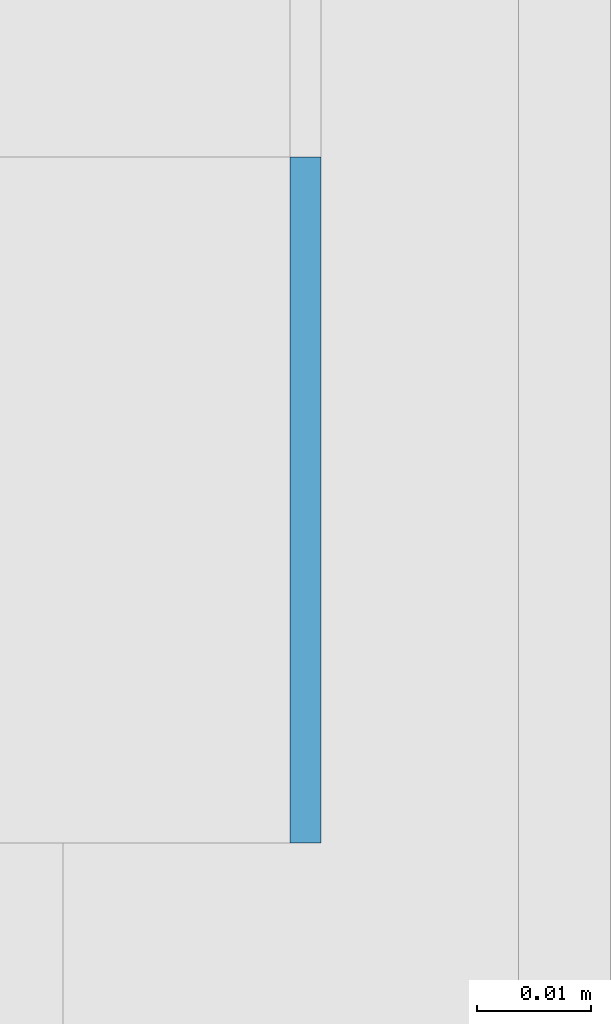
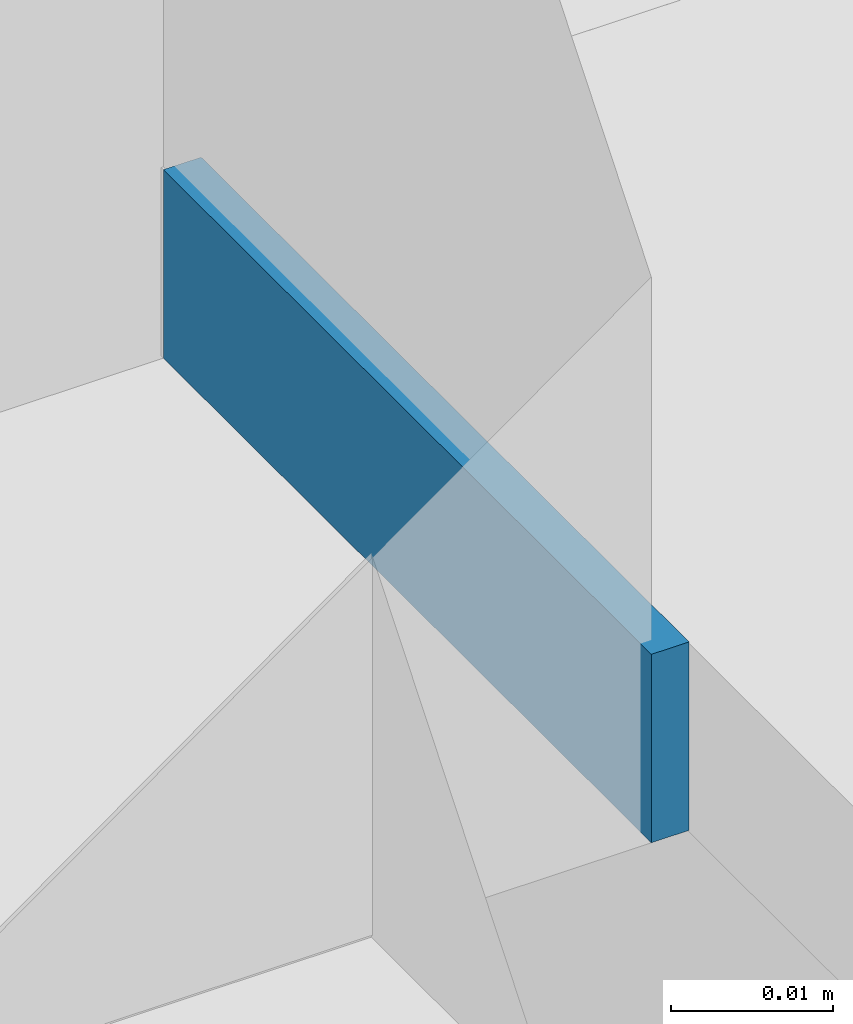
# One storey, part 300 of 646: 1 discrete accessory.
"""IFC4 building model written with IfcOpenShell, lengths in metres."""

from ifc_helpers import new_model, si_unit, direction, frame, origin, origin_2d, place, context, subcontext, project, spatial, rectangle, extrude, material, type_object, element, save


model = new_model("IFC4")

# Units and contexts
model_context = context("Model", 3, precision=1e-05, world=origin(), true_north=direction((0.0, 1.0)))
body_context = subcontext(model_context, "Body", "Model", "MODEL_VIEW")
ifc_project = project(units=[si_unit("LENGTHUNIT", "METRE"), si_unit("AREAUNIT", "SQUARE_METRE"), si_unit("VOLUMEUNIT", "CUBIC_METRE"), si_unit("PLANEANGLEUNIT", "RADIAN"), si_unit("MASSUNIT", "GRAM", prefix="KILO")], contexts=[model_context])

# Site, building, storey
site_placement = place(None, origin())
site = spatial("IfcSite", under=ifc_project, at=site_placement, CompositionType="ELEMENT")
building_placement = place(site_placement, origin())
building = spatial("IfcBuilding", under=site, at=building_placement, Name="Silverbay Arena", CompositionType="ELEMENT")
storey_placement = place(building_placement, frame((0.0, 0.0, 33.5)))
storey = spatial("IfcBuildingStorey", under=building, at=storey_placement, Name="L05", CompositionType="ELEMENT", Elevation=33.5)

# Discrete accessory
ifc_material = material(Name="Steel S355", Category="steel")
discrete_accessory_type = type_object("IfcDiscreteAccessoryType", Name="Steel bracket plate", PredefinedType="BRACKET", material=ifc_material)
discrete_accessory_placement = place(storey_placement, frame((53.871337890625, 62.969970703125, 4.0), z_axis=(0.0, 0.0, 1.0), x_axis=(1.0, 0.0, 0.0)))
element("IfcDiscreteAccessory", 1, at=discrete_accessory_placement, inside=storey, type_object=discrete_accessory_type, Name="Curtain wall packing plate", PredefinedType="BRACKET", context=body_context, shape_type="SweptSolid", body=[
    extrude(rectangle(XDim=0.002685546875, YDim=0.06005859375, at=origin_2d()), origin(), (0.0, 0.0, 1.0), 0.01416015625),
])

save(model, "model.ifc")
